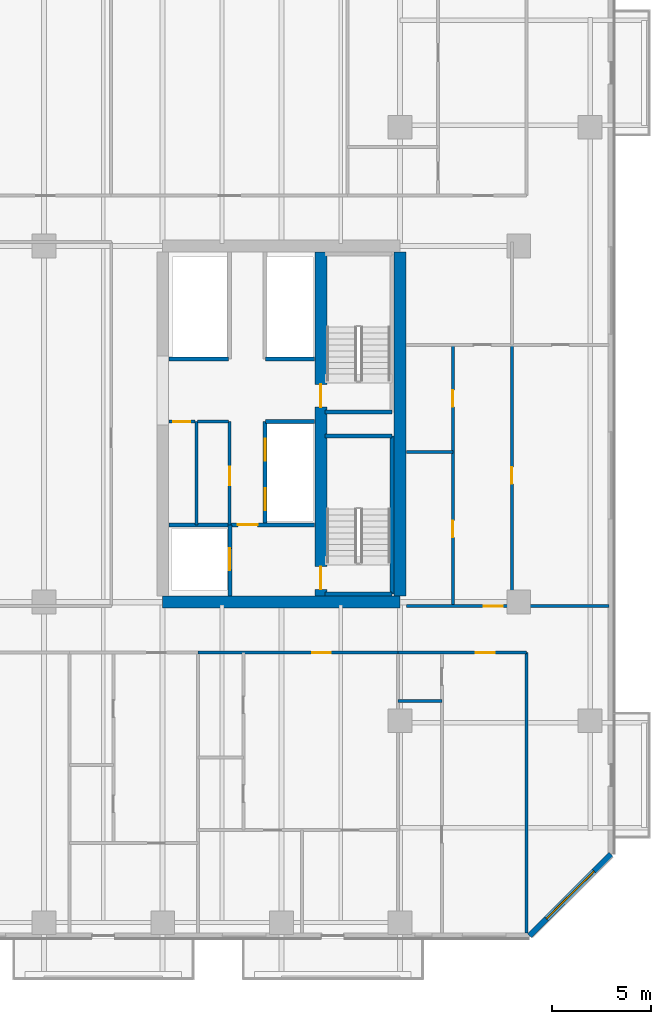
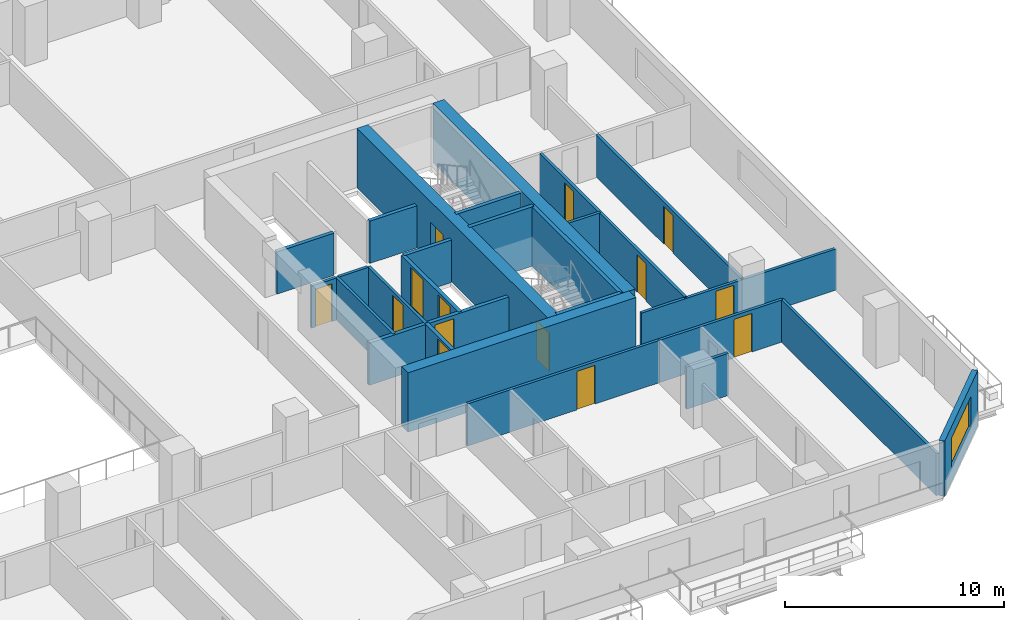
# One storey, part 15 of 26: 26 walls, 14 doors, 1 window, 15 openings.
"""IFC4 building model written with IfcOpenShell, lengths in metres."""

import ifcopenshell
import ifcopenshell.guid

model = None  # the IFC model being written
_history = None  # IfcOwnerHistory: only IFC2X3 demands one
_inside = {}  # id of a spatial element -> (the spatial element, [elements in it])
_under = {}  # id of a project, library or spatial element -> (it, [spatial elements below it])
_declared = {}  # id of a project -> (the project, [libraries it declares])
_typed = {}  # id of a type object -> (the type object, [elements of that type])
_made_of = {}  # id of a material, layer set ... -> (it, [elements and type objects made of it])


def new_model(schema):
    """Start an empty IFC model of exactly this schema.

    Asked for "IFC4X3", IfcOpenShell would pick the latest addendum, in which some entities
    have other attributes; the version numbers below select the first issue.
    IFC2X3 requires an IfcOwnerHistory on every rooted entity: one is made here for all.
    """
    global model, _history
    if schema == "IFC4X3":
        model = ifcopenshell.file(schema_version=(4, 3, 0, 0))
    else:
        model = ifcopenshell.file(schema=schema)
    _inside.clear()
    _under.clear()
    _declared.clear()
    _typed.clear()
    _made_of.clear()
    _history = None
    if model.schema == "IFC2X3":
        org = make("IfcOrganization", Name="unknown")
        user = make(
            "IfcPersonAndOrganization",
            ThePerson=make("IfcPerson", FamilyName="unknown"),
            TheOrganization=org,
        )
        app = make(
            "IfcApplication",
            ApplicationDeveloper=org,
            Version="unknown",
            ApplicationFullName="unknown",
            ApplicationIdentifier="unknown",
        )
        _history = make(
            "IfcOwnerHistory",
            OwningUser=user,
            OwningApplication=app,
            ChangeAction="ADDED",
            CreationDate=0,
        )
    return model


def make(cls, **values):
    """One entity of the class cls with the attributes given. An attribute that is None is left unset."""
    return model.create_entity(
        cls, **{name: value for name, value in values.items() if value is not None}
    )


def rooted(cls, **values):
    """An entity with a GlobalId (a new one), such as an element, a storey or a relation."""
    return make(cls, GlobalId=ifcopenshell.guid.new(), OwnerHistory=_history, **values)


def si_unit(unit_type, name, prefix=None):
    """IfcSIUnit, for example si_unit("LENGTHUNIT", "METRE", prefix="MILLI")."""
    return make("IfcSIUnit", UnitType=unit_type, Prefix=prefix, Name=name)


def assignment(units):
    """IfcUnitAssignment: the units of a project."""
    return None if units is None else make("IfcUnitAssignment", Units=units)


def point(xyz):
    """IfcCartesianPoint."""
    return None if xyz is None else make("IfcCartesianPoint", Coordinates=xyz)


def direction(xyz):
    """IfcDirection."""
    return None if xyz is None else make("IfcDirection", DirectionRatios=xyz)


def frame(location, z_axis=None, x_axis=None):
    """IfcAxis2Placement3D, a coordinate frame: its origin and axes. An axis left out is left unset."""
    return make(
        "IfcAxis2Placement3D",
        Location=point(location),
        Axis=direction(z_axis),
        RefDirection=direction(x_axis),
    )


def frame_2d(location, x_axis=None):
    """IfcAxis2Placement2D, a coordinate frame in the plane: its origin and x axis."""
    return make(
        "IfcAxis2Placement2D", Location=point(location), RefDirection=direction(x_axis)
    )


def origin():
    """The frame at (0, 0, 0) with its axes left unset."""
    return frame((0.0, 0.0, 0.0))


def place(relative_to, where):
    """IfcLocalPlacement: puts the frame where relative to a parent placement (None: the world)."""
    return make(
        "IfcLocalPlacement", PlacementRelTo=relative_to, RelativePlacement=where
    )


def context(
    kind, dimensions, precision=None, world=None, true_north=None, identifier=None
):
    """IfcGeometricRepresentationContext, for example the 3D "Model" context."""
    return make(
        "IfcGeometricRepresentationContext",
        ContextIdentifier=identifier,
        ContextType=kind,
        CoordinateSpaceDimension=dimensions,
        Precision=precision,
        WorldCoordinateSystem=world,
        TrueNorth=true_north,
    )


def subcontext(parent, identifier, kind, view, scale=None):
    """IfcGeometricRepresentationSubContext, for example "Body" below "Model"."""
    return make(
        "IfcGeometricRepresentationSubContext",
        ContextIdentifier=identifier,
        ContextType=kind,
        ParentContext=parent,
        TargetScale=scale,
        TargetView=view,
    )


def project(units=None, contexts=None):
    """IfcProject with its units and contexts."""
    return rooted(
        "IfcProject",
        Name="project",
        RepresentationContexts=contexts,
        UnitsInContext=assignment(units),
    )


def spatial(cls, under=None, at=None, **own):
    """A site, building, storey or space (cls), placed at a placement, below another one or the project."""
    s = rooted(cls, ObjectPlacement=at, **own)
    if under is not None:
        _under.setdefault(under.id(), (under, []))[1].append(s)
    return s


def profile(cls, at=None, kind="AREA", **sizes):
    """A parametric profile (cls). Its sizes go by their IFC names, for example OverallWidth=200.0."""
    return make(cls, ProfileType=kind, Position=at, **sizes)


def rectangle(**sizes):
    """IfcRectangleProfileDef."""
    return profile("IfcRectangleProfileDef", **sizes)


def extrude(swept, where, along, depth):
    """IfcExtrudedAreaSolid: the profile swept, set in the frame where, extruded along a direction by depth."""
    return make(
        "IfcExtrudedAreaSolid",
        SweptArea=swept,
        Position=where,
        ExtrudedDirection=direction(along),
        Depth=depth,
    )


def shape(context_of_items, identifier, shape_type, items):
    """IfcShapeRepresentation: the items that make up one representation, for example the "Body"."""
    return make(
        "IfcShapeRepresentation",
        ContextOfItems=context_of_items,
        RepresentationIdentifier=identifier,
        RepresentationType=shape_type,
        Items=items,
    )


def material(Name=None, Category=None):
    """IfcMaterial."""
    return make("IfcMaterial", Name=Name, Category=Category)


def layer(
    of_material, thickness, ventilated=None, Name=None, Category=None, Priority=None
):
    """IfcMaterialLayer: one layer of a wall or slab, of a material (None: an air gap)."""
    return make(
        "IfcMaterialLayer",
        Material=of_material,
        LayerThickness=thickness,
        IsVentilated=ventilated,
        Name=Name,
        Category=Category,
        Priority=Priority,
    )


def layer_set(layers, Name=None):
    """IfcMaterialLayerSet."""
    return make("IfcMaterialLayerSet", MaterialLayers=layers, LayerSetName=Name)


def made_of(thing, what):
    """Note that an element or type object is made of a material, layer set ...; save() writes the relation."""
    if what is not None:
        _made_of.setdefault(what.id(), (what, []))[1].append(thing)
    return thing


def type_object(cls, material=None, **own):
    """A type object (cls), such as IfcWallType, which elements share."""
    return made_of(rooted(cls, **own), material)


def element(
    cls,
    number,
    at=None,
    inside=None,
    cuts=None,
    type_object=None,
    material=None,
    context=None,
    identifier="Body",
    shape_type=None,
    held_by="IfcProductDefinitionShape",
    body=None,
    shapes=None,
    **own,
):
    """One element of the class cls, such as IfcWall. Its Tag is "e" and its number.

    at: its placement. inside: the storey or other place that contains it. cuts: it is an
    opening in that element (IfcRelVoidsElement). A single representation is given by context,
    identifier, shape_type and body (its items); several are given by shapes. held_by: the class
    of the entity that holds the representations. save() writes the other relations.
    """
    e = rooted(cls, Tag="e%d" % number, ObjectPlacement=at, **own)
    if body is not None:
        shapes = [shape(context, identifier, shape_type, body)]
    if shapes is not None:
        e.Representation = make(held_by, Representations=shapes)
    if inside is not None:
        _inside.setdefault(inside.id(), (inside, []))[1].append(e)
    if cuts is not None:
        rooted(
            "IfcRelVoidsElement", RelatingBuildingElement=cuts, RelatedOpeningElement=e
        )
    if type_object is not None:
        _typed.setdefault(type_object.id(), (type_object, []))[1].append(e)
    return made_of(e, material)


def fill(opening, filler):
    """IfcRelFillsElement: the door or window that sits in an opening."""
    return rooted(
        "IfcRelFillsElement",
        RelatingOpeningElement=opening,
        RelatedBuildingElement=filler,
    )


def aggregate(whole, parts):
    """IfcRelAggregates: a whole, such as a stair, and the parts it consists of."""
    return rooted("IfcRelAggregates", RelatingObject=whole, RelatedObjects=parts)


def save(model, path):
    """Write the relations noted so far, then the file.

    IfcRelAggregates (storeys below a building ...), IfcRelContainedInSpatialStructure (elements
    in a storey), IfcRelDefinesByType, IfcRelAssociatesMaterial and IfcRelDeclares: one each for
    every whole, place, type object, material and project.
    """
    for whole, parts in _under.values():
        aggregate(whole, parts)
    for where, things in _inside.values():
        rooted(
            "IfcRelContainedInSpatialStructure",
            RelatedElements=things,
            RelatingStructure=where,
        )
    for kind, things in _typed.values():
        rooted("IfcRelDefinesByType", RelatedObjects=things, RelatingType=kind)
    for what, things in _made_of.values():
        rooted("IfcRelAssociatesMaterial", RelatedObjects=things, RelatingMaterial=what)
    for by, libraries in _declared.values():
        rooted("IfcRelDeclares", RelatingContext=by, RelatedDefinitions=libraries)
    model.write(path)


model = new_model("IFC4")

# Units and contexts
model_context = context("Model", 3, precision=1e-05, world=origin(), true_north=direction((0.0, 1.0)))
body_context = subcontext(model_context, "Body", "Model", "MODEL_VIEW")
ifc_project = project(units=[si_unit("LENGTHUNIT", "METRE"), si_unit("AREAUNIT", "SQUARE_METRE"), si_unit("VOLUMEUNIT", "CUBIC_METRE"), si_unit("PLANEANGLEUNIT", "RADIAN"), si_unit("MASSUNIT", "GRAM", prefix="KILO")], contexts=[model_context])

# Site, building, storey
site_placement = place(None, origin())
site = spatial("IfcSite", under=ifc_project, at=site_placement, CompositionType="ELEMENT")
building_placement = place(site_placement, origin())
building = spatial("IfcBuilding", under=site, at=building_placement, Name="Tanjung Sevakor Pilgrim Tower", CompositionType="ELEMENT")
storey_placement = place(building_placement, frame((0.0, 0.0, 45.5400390625)))
storey = spatial("IfcBuildingStorey", under=building, at=storey_placement, Name="L12", CompositionType="ELEMENT", Elevation=45.5400390625)

# Walls
ifc_material_1 = material(Name="Concrete C60/75", Category="concrete")
ifc_layer_1 = layer(ifc_material_1, 0.60009765625)
ifc_layer_set_1 = layer_set([ifc_layer_1], Name="WALL-CW-600")
wall_type_1 = type_object("IfcWallType", Name="WALL-CW-600", PredefinedType="SHEAR", material=ifc_layer_set_1)
wall_1_placement = place(storey_placement, frame((78.0, 24.60009765625, 0.0), z_axis=(0.0, 0.0, 1.0), x_axis=(1.0, 0.0, 0.0)))
element("IfcWall", 1, at=wall_1_placement, inside=storey, type_object=wall_type_1, Name="L12 E Core South Shear Wall", PredefinedType="SHEAR", context=body_context, shape_type="SweptSolid", body=[
    extrude(rectangle(XDim=12.0, YDim=0.60009765625, at=frame_2d((6.0, 0.0))), origin(), (0.0, 0.0, 1.0), 3.300048828125),
])
wall_2_placement = place(storey_placement, frame((90.0, 24.89990234375, 0.0), z_axis=(0.0, 0.0, 1.0), x_axis=(0.0, 1.0, 0.0)))
element("IfcWall", 2, at=wall_2_placement, inside=storey, type_object=wall_type_1, Name="L12 E Core Outer Shear Wall", PredefinedType="SHEAR", context=body_context, shape_type="SweptSolid", body=[
    extrude(rectangle(XDim=17.400146484375, YDim=0.60009765625, at=frame_2d((8.7001953125, 0.0))), origin(), (0.0, 0.0, 1.0), 3.300048828125),
])

# Wall, openings, doors
wall_3_placement = place(storey_placement, frame((86.0, 24.89990234375, 0.0), z_axis=(0.0, 0.0, 1.0), x_axis=(0.0, 1.0, 0.0)))
wall_3 = element("IfcWall", 3, at=wall_3_placement, inside=storey, type_object=wall_type_1, Name="L12 E Core Stair Spine Wall", PredefinedType="SHEAR", context=body_context, shape_type="SweptSolid", body=[
    extrude(rectangle(XDim=17.400146484375, YDim=0.60009765625, at=frame_2d((8.7001953125, 0.0))), origin(), (0.0, 0.0, 1.0), 3.300048828125),
])
opening_1_placement = place(wall_3_placement, frame((0.35009765625, 0.0, 0.0)))
opening_1 = element("IfcOpeningElement", 4, at=opening_1_placement, cuts=wall_3, Name="Opening ID-ST1", PredefinedType="OPENING", context=body_context, shape_type="SweptSolid", body=[
    extrude(rectangle(XDim=1.14990234375, YDim=2.14990234375, at=frame_2d((0.574951171875, 1.074951171875))), frame((0.0, 0.31005859375, 0.0), z_axis=(0.0, -1.0, 0.0), x_axis=(1.0, 0.0, 0.0)), (0.0, 0.0, 1.0), 0.6201171875),
])
opening_2_placement = place(wall_3_placement, frame((9.550048828125, 0.0, 0.0)))
opening_2 = element("IfcOpeningElement", 5, at=opening_2_placement, cuts=wall_3, Name="Opening ID-ST1", PredefinedType="OPENING", context=body_context, shape_type="SweptSolid", body=[
    extrude(rectangle(XDim=1.14990234375, YDim=2.14990234375, at=frame_2d((0.574951171875, 1.074951171875))), frame((0.0, 0.31005859375, 0.0), z_axis=(0.0, -1.0, 0.0), x_axis=(1.0, 0.0, 0.0)), (0.0, 0.0, 1.0), 0.6201171875),
])
ifc_material_2 = material(Name="Fire-Rated Steel S355J2", Category="steel")
door_type_1 = type_object("IfcDoorType", Name="DT-FIRE-1150", OperationType="NOTDEFINED", PredefinedType="DOOR", material=ifc_material_2)
door_1_placement = place(opening_1_placement, origin())
door_1 = element("IfcDoor", 6, at=door_1_placement, inside=storey, type_object=door_type_1, Name="L12 TS-E1 Stair Fire Door", OperationType="SINGLE_SWING_LEFT", OverallHeight=2.14990234375, OverallWidth=1.14990234375, PredefinedType="DOOR", context=body_context, shape_type="SweptSolid", body=[
    extrude(rectangle(XDim=1.14990234375, YDim=2.14990234375, at=frame_2d((0.574951171875, 1.074951171875))), frame((0.0, 0.02490234375, 0.0), z_axis=(0.0, -1.0, 0.0), x_axis=(1.0, 0.0, 0.0)), (0.0, 0.0, 1.0), 0.050048828125),
])
fill(opening_1, door_1)
door_2_placement = place(opening_2_placement, origin())
door_2 = element("IfcDoor", 7, at=door_2_placement, inside=storey, type_object=door_type_1, Name="L12 TS-E2 Stair Fire Door", OperationType="SINGLE_SWING_RIGHT", OverallHeight=2.14990234375, OverallWidth=1.14990234375, PredefinedType="DOOR", context=body_context, shape_type="SweptSolid", body=[
    extrude(rectangle(XDim=1.14990234375, YDim=2.14990234375, at=frame_2d((0.574951171875, 1.074951171875))), frame((0.0, 0.02490234375, 0.0), z_axis=(0.0, -1.0, 0.0), x_axis=(1.0, 0.0, 0.0)), (0.0, 0.0, 1.0), 0.050048828125),
])
fill(opening_2, door_2)

# Walls
ifc_material_3 = material(Name="Concrete C40/50", Category="concrete")
ifc_layer_2 = layer(ifc_material_3, 0.14990234375)
ifc_layer_set_2 = layer_set([ifc_layer_2], Name="WT-COMP-150")
wall_type_2 = type_object("IfcWallType", Name="WT-COMP-150", PredefinedType="SOLIDWALL", material=ifc_layer_set_2)
wall_4_placement = place(storey_placement, frame((79.699951171875, 28.5, 0.0), z_axis=(0.0, 0.0, 1.0), x_axis=(0.0, 1.0, 0.0)))
element("IfcWall", 8, at=wall_4_placement, inside=storey, type_object=wall_type_2, Name="L12 Partition IW-L12-017", PredefinedType="SOLIDWALL", context=body_context, shape_type="SweptSolid", body=[
    extrude(rectangle(XDim=5.219970703125, YDim=0.14990234375, at=frame_2d((2.60986328125, 0.0))), origin(), (0.0, 0.0, 1.0), 2.35009765625),
])
wall_5_placement = place(storey_placement, frame((79.760009765625, 33.719970703125, 0.0), z_axis=(0.0, 0.0, 1.0), x_axis=(1.0, 0.0, 0.0)))
element("IfcWall", 9, at=wall_5_placement, inside=storey, type_object=wall_type_2, Name="L12 Partition IW-L12-018", PredefinedType="SOLIDWALL", context=body_context, shape_type="SweptSolid", body=[
    extrude(rectangle(XDim=1.56005859375, YDim=0.14990234375, at=frame_2d((0.780029296875, 0.0))), origin(), (0.0, 0.0, 1.0), 2.35009765625),
])

# Wall, opening, door
wall_6_placement = place(storey_placement, frame((78.320068359375, 33.719970703125, 0.0), z_axis=(0.0, 0.0, 1.0), x_axis=(1.0, 0.0, 0.0)))
wall_6 = element("IfcWall", 10, at=wall_6_placement, inside=storey, type_object=wall_type_2, Name="L12 Partition IW-L12-019", PredefinedType="SOLIDWALL", context=body_context, shape_type="SweptSolid", body=[
    extrude(rectangle(XDim=1.31982421875, YDim=0.14990234375, at=frame_2d((0.659912109375, 0.0))), origin(), (0.0, 0.0, 1.0), 2.35009765625),
])
opening_3_placement = place(wall_6_placement, frame((0.219970703125, 0.0, 0.0)))
opening_3 = element("IfcOpeningElement", 11, at=opening_3_placement, cuts=wall_6, Name="Opening ID-FD3", PredefinedType="OPENING", context=body_context, shape_type="SweptSolid", body=[
    extrude(rectangle(XDim=0.85009765625, YDim=2.10009765625, at=frame_2d((0.425048828125, 1.050048828125))), frame((0.0, 0.0849609375, 0.0), z_axis=(0.0, -1.0, 0.0), x_axis=(1.0, 0.0, 0.0)), (0.0, 0.0, 1.0), 0.169921875),
])
ifc_material_4 = material(Name="Fire-Rated Timber", Category="wood")
door_type_2 = type_object("IfcDoorType", Name="DT-FIRE-850", OperationType="NOTDEFINED", PredefinedType="DOOR", material=ifc_material_4)
door_3_placement = place(opening_3_placement, origin())
door_3 = element("IfcDoor", 12, at=door_3_placement, inside=storey, type_object=door_type_2, Name="L12 Service Store Door", OperationType="SINGLE_SWING_RIGHT", OverallHeight=2.10009765625, OverallWidth=0.85009765625, PredefinedType="DOOR", context=body_context, shape_type="SweptSolid", body=[
    extrude(rectangle(XDim=0.85009765625, YDim=2.10009765625, at=frame_2d((0.425048828125, 1.050048828125))), frame((0.0, 0.02490234375, 0.0), z_axis=(0.0, -1.0, 0.0), x_axis=(1.0, 0.0, 0.0)), (0.0, 0.0, 1.0), 0.050048828125),
])
fill(opening_3, door_3)

wall_7_placement = place(storey_placement, frame((81.3798828125, 28.5, 0.0), z_axis=(0.0, 0.0, 1.0), x_axis=(0.0, 1.0, 0.0)))
wall_7 = element("IfcWall", 13, at=wall_7_placement, inside=storey, type_object=wall_type_2, Name="L12 Partition IW-L12-020", PredefinedType="SOLIDWALL", context=body_context, shape_type="SweptSolid", body=[
    extrude(rectangle(XDim=5.219970703125, YDim=0.14990234375, at=frame_2d((2.60986328125, 0.0))), origin(), (0.0, 0.0, 1.0), 2.35009765625),
])
opening_4_placement = place(wall_7_placement, frame((2.0, 0.0, 0.0)))
opening_4 = element("IfcOpeningElement", 14, at=opening_4_placement, cuts=wall_7, Name="Opening ID-FD2", PredefinedType="OPENING", context=body_context, shape_type="SweptSolid", body=[
    extrude(rectangle(XDim=0.949951171875, YDim=2.14990234375, at=frame_2d((0.47509765625, 1.074951171875))), frame((0.0, 0.0849609375, 0.0), z_axis=(0.0, -1.0, 0.0), x_axis=(1.0, 0.0, 0.0)), (0.0, 0.0, 1.0), 0.169921875),
])
ifc_material_5 = material(Name="Fire-Rated Timber", Category="wood")
door_type_3 = type_object("IfcDoorType", Name="DT-FIRE-950", OperationType="NOTDEFINED", PredefinedType="DOOR", material=ifc_material_5)
door_4_placement = place(opening_4_placement, origin())
door_4 = element("IfcDoor", 15, at=door_4_placement, inside=storey, type_object=door_type_3, Name="L12 Accessible WC Door", OperationType="SINGLE_SWING_LEFT", OverallHeight=2.14990234375, OverallWidth=0.949951171875, PredefinedType="DOOR", context=body_context, shape_type="SweptSolid", body=[
    extrude(rectangle(XDim=0.949951171875, YDim=2.14990234375, at=frame_2d((0.47509765625, 1.074951171875))), frame((0.0, 0.02490234375, 0.0), z_axis=(0.0, -1.0, 0.0), x_axis=(1.0, 0.0, 0.0)), (0.0, 0.0, 1.0), 0.050048828125),
])
fill(opening_4, door_4)

wall_8_placement = place(storey_placement, frame((90.320068359375, 24.39990234375, 0.0), z_axis=(0.0, 0.0, 1.0), x_axis=(1.0, 0.0, 0.0)))
wall_8 = element("IfcWall", 16, at=wall_8_placement, inside=storey, type_object=wall_type_2, Name="L12 Partition IW-L12-039", PredefinedType="SOLIDWALL", context=body_context, shape_type="SweptSolid", body=[
    extrude(rectangle(XDim=10.239990234375, YDim=0.14990234375, at=frame_2d((5.1201171875, 0.0))), origin(), (0.0, 0.0, 1.0), 2.295166015625),
])
opening_5_placement = place(wall_8_placement, frame((3.91259765625, 0.0, 0.0)))
opening_5 = element("IfcOpeningElement", 17, at=opening_5_placement, cuts=wall_8, Name="Opening ID-FD2", PredefinedType="OPENING", context=body_context, shape_type="SweptSolid", body=[
    extrude(rectangle(XDim=0.949951171875, YDim=2.14990234375, at=frame_2d((0.47509765625, 1.074951171875))), frame((0.0, 0.0849609375, 0.0), z_axis=(0.0, -1.0, 0.0), x_axis=(1.0, 0.0, 0.0)), (0.0, 0.0, 1.0), 0.169921875),
])
door_5_placement = place(opening_5_placement, origin())
door_5 = element("IfcDoor", 18, at=door_5_placement, inside=storey, type_object=door_type_3, Name="Suite Entrance", OperationType="SINGLE_SWING_RIGHT", OverallHeight=2.14990234375, OverallWidth=0.949951171875, PredefinedType="DOOR", context=body_context, shape_type="SweptSolid", body=[
    extrude(rectangle(XDim=0.949951171875, YDim=2.14990234375, at=frame_2d((0.47509765625, 1.074951171875))), frame((0.0, 0.02490234375, 0.0), z_axis=(0.0, -1.0, 0.0), x_axis=(1.0, 0.0, 0.0)), (0.0, 0.0, 1.0), 0.050048828125),
])
fill(opening_5, door_5)

# Wall
wall_9_placement = place(storey_placement, frame((96.39990234375, 7.8798828125, 0.0), z_axis=(0.0, 0.0, 1.0), x_axis=(0.0, 1.0, 0.0)))
element("IfcWall", 19, at=wall_9_placement, inside=storey, type_object=wall_type_2, Name="L12 Partition IW-L12-058", PredefinedType="SOLIDWALL", context=body_context, shape_type="SweptSolid", body=[
    extrude(rectangle(XDim=14.170166015625, YDim=0.14990234375, at=frame_2d((7.0849609375, 0.0))), origin(), (0.0, 0.0, 1.0), 2.35009765625),
])

# Wall, opening, door
wall_10_placement = place(storey_placement, frame((79.795166015625, 22.050048828125, 0.0), z_axis=(0.0, 0.0, 1.0), x_axis=(1.0, 0.0, 0.0)))
wall_10 = element("IfcWall", 20, at=wall_10_placement, inside=storey, type_object=wall_type_2, Name="L12 Partition IW-L12-077", PredefinedType="SOLIDWALL", context=body_context, shape_type="SweptSolid", body=[
    extrude(rectangle(XDim=10.107421875, YDim=0.14990234375, at=frame_2d((5.0537109375, 0.0))), origin(), (0.0, 0.0, 1.0), 2.35009765625),
])
opening_6_placement = place(wall_10_placement, frame((5.760986328125, 0.0, 0.0)))
opening_6 = element("IfcOpeningElement", 21, at=opening_6_placement, cuts=wall_10, Name="Opening ID-FD2", PredefinedType="OPENING", context=body_context, shape_type="SweptSolid", body=[
    extrude(rectangle(XDim=0.949951171875, YDim=2.14990234375, at=frame_2d((0.47509765625, 1.074951171875))), frame((0.0, 0.0849609375, 0.0), z_axis=(0.0, -1.0, 0.0), x_axis=(1.0, 0.0, 0.0)), (0.0, 0.0, 1.0), 0.169921875),
])
door_6_placement = place(opening_6_placement, origin())
door_6 = element("IfcDoor", 22, at=door_6_placement, inside=storey, type_object=door_type_3, Name="Suite Entrance", OperationType="SINGLE_SWING_LEFT", OverallHeight=2.14990234375, OverallWidth=0.949951171875, PredefinedType="DOOR", context=body_context, shape_type="SweptSolid", body=[
    extrude(rectangle(XDim=0.949951171875, YDim=2.14990234375, at=frame_2d((0.47509765625, 1.074951171875))), frame((0.0, 0.02490234375, 0.0), z_axis=(0.0, -1.0, 0.0), x_axis=(1.0, 0.0, 0.0)), (0.0, 0.0, 1.0), 0.050048828125),
])
fill(opening_6, door_6)

wall_11_placement = place(storey_placement, frame((89.902587890625, 22.050048828125, 0.0), z_axis=(0.0, 0.0, 1.0), x_axis=(1.0, 0.0, 0.0)))
wall_11 = element("IfcWall", 23, at=wall_11_placement, inside=storey, type_object=wall_type_2, Name="L12 Partition IW-L12-080", PredefinedType="SOLIDWALL", context=body_context, shape_type="SweptSolid", body=[
    extrude(rectangle(XDim=6.497314453125, YDim=0.14990234375, at=frame_2d((3.24853515625, 0.0))), origin(), (0.0, 0.0, 1.0), 2.35009765625),
])
opening_7_placement = place(wall_11_placement, frame((3.918212890625, 0.0, 0.0)))
opening_7 = element("IfcOpeningElement", 24, at=opening_7_placement, cuts=wall_11, Name="Opening ID-FD2", PredefinedType="OPENING", context=body_context, shape_type="SweptSolid", body=[
    extrude(rectangle(XDim=0.949951171875, YDim=2.14990234375, at=frame_2d((0.47509765625, 1.074951171875))), frame((0.0, 0.0849609375, 0.0), z_axis=(0.0, -1.0, 0.0), x_axis=(1.0, 0.0, 0.0)), (0.0, 0.0, 1.0), 0.169921875),
])
door_7_placement = place(opening_7_placement, origin())
door_7 = element("IfcDoor", 25, at=door_7_placement, inside=storey, type_object=door_type_3, Name="Hostel Quad Entrance", OperationType="SINGLE_SWING_RIGHT", OverallHeight=2.14990234375, OverallWidth=0.949951171875, PredefinedType="DOOR", context=body_context, shape_type="SweptSolid", body=[
    extrude(rectangle(XDim=0.949951171875, YDim=2.14990234375, at=frame_2d((0.47509765625, 1.074951171875))), frame((0.0, 0.02490234375, 0.0), z_axis=(0.0, -1.0, 0.0), x_axis=(1.0, 0.0, 0.0)), (0.0, 0.0, 1.0), 0.050048828125),
])
fill(opening_7, door_7)

# Wall, opening, window
ifc_material_6 = material(Name="Precast concrete C45/55", Category="concrete")
ifc_layer_3 = layer(ifc_material_6, 0.280029296875)
ifc_layer_set_3 = layer_set([ifc_layer_3], Name="WT-EW-STN2")
wall_type_3 = type_object("IfcWallType", Name="WT-EW-STN2", PredefinedType="SOLIDWALL", material=ifc_layer_set_3)
wall_12_placement = place(storey_placement, frame((96.5419921875, 7.739990234375, 0.0), z_axis=(0.0, 0.0, 1.0), x_axis=(0.707106781187, 0.707106781187, 0.0)))
wall_12 = element("IfcWall", 26, at=wall_12_placement, inside=storey, type_object=wall_type_3, Name="L12 MAIN Sculpted Corner Wall 5", PredefinedType="SOLIDWALL", context=body_context, shape_type="SweptSolid", body=[
    extrude(rectangle(XDim=5.82373046875, YDim=0.280029296875, at=frame_2d((2.911865234375, 0.0))), origin(), (0.0, 0.0, 1.0), 3.080078125),
])
opening_8_placement = place(wall_12_placement, frame((1.2119140625, 0.0, 0.780029296875)))
opening_8 = element("IfcOpeningElement", 27, at=opening_8_placement, cuts=wall_12, Name="Opening WN-CHM-1660", PredefinedType="OPENING", context=body_context, shape_type="SweptSolid", body=[
    extrude(rectangle(XDim=3.39990234375, YDim=1.659912109375, at=frame_2d((1.699951171875, 0.830078125))), frame((0.0, 0.14990234375, 0.0), z_axis=(0.0, -1.0, 0.0), x_axis=(1.0, 0.0, 0.0)), (0.0, 0.0, 1.0), 0.300048828125),
])
ifc_material_7 = material(Name="Thermally Broken Aluminium and Low-E Glass", Category="aluminium")
window_type = type_object("IfcWindowType", Name="WTYP-WN-CHM-1660", PartitioningType="DOUBLE_PANEL_VERTICAL", PredefinedType="WINDOW", material=ifc_material_7)
window_placement = place(opening_8_placement, origin())
window = element("IfcWindow", 28, at=window_placement, inside=storey, type_object=window_type, Name="L12 Facade Window 01", OverallHeight=1.659912109375, OverallWidth=3.39990234375, PartitioningType="SINGLE_PANEL", PredefinedType="WINDOW", context=body_context, shape_type="SweptSolid", body=[
    extrude(rectangle(XDim=3.39990234375, YDim=1.659912109375, at=frame_2d((1.699951171875, 0.830078125))), frame((0.0, 0.030029296875, 0.0), z_axis=(0.0, -1.0, 0.0), x_axis=(1.0, 0.0, 0.0)), (0.0, 0.0, 1.0), 0.06005859375),
])
fill(opening_8, window)

# Walls
ifc_material_8 = material(Name="Concrete C40/50", Category="concrete")
ifc_layer_4 = layer(ifc_material_8, 0.199951171875)
ifc_layer_set_4 = layer_set([ifc_layer_4], Name="WT-FIRE-200")
wall_type_4 = type_object("IfcWallType", Name="WT-FIRE-200", PredefinedType="SOLIDWALL", material=ifc_layer_set_4)
wall_13_placement = place(storey_placement, frame((86.199951171875, 25.0, 0.0), z_axis=(0.0, 0.0, 1.0), x_axis=(1.0, 0.0, 0.0)))
element("IfcWall", 29, at=wall_13_placement, inside=storey, type_object=wall_type_4, Name="L12 TS-E1 Shaft Wall 1", PredefinedType="SOLIDWALL", context=body_context, shape_type="SweptSolid", body=[
    extrude(rectangle(XDim=3.400146484375, YDim=0.199951171875, at=frame_2d((1.7001953125, 0.0))), origin(), (0.0, 0.0, 1.0), 3.300048828125),
])
wall_14_placement = place(storey_placement, frame((89.60009765625, 25.0, 0.0), z_axis=(0.0, 0.0, 1.0), x_axis=(0.0, 1.0, 0.0)))
element("IfcWall", 30, at=wall_14_placement, inside=storey, type_object=wall_type_4, Name="L12 TS-E1 Shaft Wall 2", PredefinedType="SOLIDWALL", context=body_context, shape_type="SweptSolid", body=[
    extrude(rectangle(XDim=8.0, YDim=0.199951171875, at=frame_2d((4.0, 0.0))), origin(), (0.0, 0.0, 1.0), 3.300048828125),
])
for number, where, z_axis, x_axis, name in (
    (31, (89.60009765625, 33.0, 0.0), (0.0, 0.0, 1.0), (-1.0, 0.0, 0.0), "L12 TS-E1 Shaft Wall 3"),
    (32, (86.199951171875, 34.199951171875, 0.0), (0.0, 0.0, 1.0), (1.0, 0.0, 0.0), "L12 TS-E2 Shaft Wall 1"),
):
    element("IfcWall", number, at=place(storey_placement, frame(where, z_axis=z_axis, x_axis=x_axis)), inside=storey, type_object=wall_type_4, Name=name, PredefinedType="SOLIDWALL", context=body_context, shape_type="SweptSolid", body=[
        extrude(rectangle(XDim=3.400146484375, YDim=0.199951171875, at=frame_2d((1.7001953125, 0.0))), origin(), (0.0, 0.0, 1.0), 3.300048828125),
    ])

# Wall, opening, door
ifc_material_9 = material(Name="Concrete C40/50", Category="concrete")
ifc_layer_5 = layer(ifc_material_9, 0.199951171875)
ifc_layer_set_5 = layer_set([ifc_layer_5], Name="WT-FPRT-200")
wall_type_5 = type_object("IfcWallType", Name="WT-FPRT-200", PredefinedType="SOLIDWALL", material=ifc_layer_set_5)
wall_15_placement = place(storey_placement, frame((81.39990234375, 24.919921875, 0.0), z_axis=(0.0, 0.0, 1.0), x_axis=(0.0, 1.0, 0.0)))
wall_15 = element("IfcWall", 33, at=wall_15_placement, inside=storey, type_object=wall_type_5, Name="L12 Partition IW-L12-013", PredefinedType="SOLIDWALL", context=body_context, shape_type="SweptSolid", body=[
    extrude(rectangle(XDim=3.580078125, YDim=0.199951171875, at=frame_2d((1.7900390625, 0.0))), origin(), (0.0, 0.0, 1.0), 2.35009765625),
])
opening_9_placement = place(wall_15_placement, frame((1.300048828125, 0.0, 0.0)))
opening_9 = element("IfcOpeningElement", 34, at=opening_9_placement, cuts=wall_15, Name="Opening LD-1100", PredefinedType="OPENING", context=body_context, shape_type="SweptSolid", body=[
    extrude(rectangle(XDim=1.10009765625, YDim=2.199951171875, at=frame_2d((0.550048828125, 1.10009765625))), frame((0.0, 0.10986328125, 0.0), z_axis=(0.0, -1.0, 0.0), x_axis=(1.0, 0.0, 0.0)), (0.0, 0.0, 1.0), 0.219970703125),
])
ifc_material_10 = material(Name="Brushed Stainless Steel S355J2", Category="steel")
door_type_4 = type_object("IfcDoorType", Name="DT-LIFT-1100", OperationType="SLIDING_TO_LEFT", PredefinedType="DOOR", material=ifc_material_10)
door_8_placement = place(opening_9_placement, origin())
door_8 = element("IfcDoor", 35, at=door_8_placement, inside=storey, type_object=door_type_4, Name="LD-FL-E", OperationType="SLIDING_TO_LEFT", OverallHeight=2.199951171875, OverallWidth=1.10009765625, PredefinedType="DOOR", context=body_context, shape_type="SweptSolid", body=[
    extrude(rectangle(XDim=1.10009765625, YDim=2.199951171875, at=frame_2d((0.550048828125, 1.10009765625))), frame((0.0, 0.02490234375, 0.0), z_axis=(0.0, -1.0, 0.0), x_axis=(1.0, 0.0, 0.0)), (0.0, 0.0, 1.0), 0.050048828125),
])
fill(opening_9, door_8)

wall_16_placement = place(storey_placement, frame((78.320068359375, 28.5, 0.0), z_axis=(0.0, 0.0, 1.0), x_axis=(1.0, 0.0, 0.0)))
wall_16 = element("IfcWall", 36, at=wall_16_placement, inside=storey, type_object=wall_type_5, Name="L12 Partition IW-L12-014", PredefinedType="SOLIDWALL", context=body_context, shape_type="SweptSolid", body=[
    extrude(rectangle(XDim=7.35986328125, YDim=0.199951171875, at=frame_2d((3.679931640625, 0.0))), origin(), (0.0, 0.0, 1.0), 2.35009765625),
])
opening_10_placement = place(wall_16_placement, frame((3.47998046875, 0.0, 0.0)))
opening_10 = element("IfcOpeningElement", 37, at=opening_10_placement, cuts=wall_16, Name="Opening ID-FD1", PredefinedType="OPENING", context=body_context, shape_type="SweptSolid", body=[
    extrude(rectangle(XDim=1.0, YDim=2.14990234375, at=frame_2d((0.5, 1.074951171875))), frame((0.0, 0.10986328125, 0.0), z_axis=(0.0, -1.0, 0.0), x_axis=(1.0, 0.0, 0.0)), (0.0, 0.0, 1.0), 0.219970703125),
])
ifc_material_11 = material(Name="Fire-Rated Steel S355J2", Category="steel")
door_type_5 = type_object("IfcDoorType", Name="DT-FIRE-1000", OperationType="NOTDEFINED", PredefinedType="DOOR", material=ifc_material_11)
door_9_placement = place(opening_10_placement, origin())
door_9 = element("IfcDoor", 38, at=door_9_placement, inside=storey, type_object=door_type_5, Name="Fire Lobby Door E", OperationType="SINGLE_SWING_LEFT", OverallHeight=2.14990234375, OverallWidth=1.0, PredefinedType="DOOR", context=body_context, shape_type="SweptSolid", body=[
    extrude(rectangle(XDim=1.0, YDim=2.14990234375, at=frame_2d((0.5, 1.074951171875))), frame((0.0, 0.02490234375, 0.0), z_axis=(0.0, -1.0, 0.0), x_axis=(1.0, 0.0, 0.0)), (0.0, 0.0, 1.0), 0.050048828125),
])
fill(opening_10, door_9)

# Wall
wall_17_placement = place(storey_placement, frame((83.199951171875, 33.719970703125, 0.0), z_axis=(0.0, 0.0, 1.0), x_axis=(1.0, 0.0, 0.0)))
element("IfcWall", 39, at=wall_17_placement, inside=storey, type_object=wall_type_5, Name="L12 Partition IW-L12-015", PredefinedType="SOLIDWALL", context=body_context, shape_type="SweptSolid", body=[
    extrude(rectangle(XDim=2.47998046875, YDim=0.199951171875, at=frame_2d((1.239990234375, 0.0))), origin(), (0.0, 0.0, 1.0), 2.35009765625),
])

# Wall, openings, doors
wall_18_placement = place(storey_placement, frame((83.179931640625, 28.5, 0.0), z_axis=(0.0, 0.0, 1.0), x_axis=(0.0, 1.0, 0.0)))
wall_18 = element("IfcWall", 40, at=wall_18_placement, inside=storey, type_object=wall_type_5, Name="L12 Partition IW-L12-016", PredefinedType="SOLIDWALL", context=body_context, shape_type="SweptSolid", body=[
    extrude(rectangle(XDim=5.219970703125, YDim=0.199951171875, at=frame_2d((2.60986328125, 0.0))), origin(), (0.0, 0.0, 1.0), 2.35009765625),
])
opening_11_placement = place(wall_18_placement, frame((0.75, 0.0, 0.0)))
opening_11 = element("IfcOpeningElement", 41, at=opening_11_placement, cuts=wall_18, Name="Opening LD-1100", PredefinedType="OPENING", context=body_context, shape_type="SweptSolid", body=[
    extrude(rectangle(XDim=1.10009765625, YDim=2.199951171875, at=frame_2d((0.550048828125, 1.10009765625))), frame((0.0, 0.10986328125, 0.0), z_axis=(0.0, -1.0, 0.0), x_axis=(1.0, 0.0, 0.0)), (0.0, 0.0, 1.0), 0.219970703125),
])
opening_12_placement = place(wall_18_placement, frame((3.25, 0.0, 0.0)))
opening_12 = element("IfcOpeningElement", 42, at=opening_12_placement, cuts=wall_18, Name="Opening LD-1100", PredefinedType="OPENING", context=body_context, shape_type="SweptSolid", body=[
    extrude(rectangle(XDim=1.10009765625, YDim=2.199951171875, at=frame_2d((0.550048828125, 1.10009765625))), frame((0.0, 0.10986328125, 0.0), z_axis=(0.0, -1.0, 0.0), x_axis=(1.0, 0.0, 0.0)), (0.0, 0.0, 1.0), 0.219970703125),
])
door_10_placement = place(opening_11_placement, origin())
door_10 = element("IfcDoor", 43, at=door_10_placement, inside=storey, type_object=door_type_4, Name="LD-PLL1-E", OperationType="SLIDING_TO_LEFT", OverallHeight=2.199951171875, OverallWidth=1.10009765625, PredefinedType="DOOR", context=body_context, shape_type="SweptSolid", body=[
    extrude(rectangle(XDim=1.10009765625, YDim=2.199951171875, at=frame_2d((0.550048828125, 1.10009765625))), frame((0.0, 0.02490234375, 0.0), z_axis=(0.0, -1.0, 0.0), x_axis=(1.0, 0.0, 0.0)), (0.0, 0.0, 1.0), 0.050048828125),
])
fill(opening_11, door_10)
door_11_placement = place(opening_12_placement, origin())
door_11 = element("IfcDoor", 44, at=door_11_placement, inside=storey, type_object=door_type_4, Name="LD-PLL2-E", OperationType="SLIDING_TO_RIGHT", OverallHeight=2.199951171875, OverallWidth=1.10009765625, PredefinedType="DOOR", context=body_context, shape_type="SweptSolid", body=[
    extrude(rectangle(XDim=1.10009765625, YDim=2.199951171875, at=frame_2d((0.550048828125, 1.10009765625))), frame((0.0, 0.02490234375, 0.0), z_axis=(0.0, -1.0, 0.0), x_axis=(1.0, 0.0, 0.0)), (0.0, 0.0, 1.0), 0.050048828125),
])
fill(opening_12, door_11)

# Walls
wall_19_placement = place(storey_placement, frame((83.199951171875, 36.8798828125, 0.0), z_axis=(0.0, 0.0, 1.0), x_axis=(1.0, 0.0, 0.0)))
element("IfcWall", 45, at=wall_19_placement, inside=storey, type_object=wall_type_5, Name="L12 Partition IW-L12-021", PredefinedType="SOLIDWALL", context=body_context, shape_type="SweptSolid", body=[
    extrude(rectangle(XDim=2.47998046875, YDim=0.199951171875, at=frame_2d((1.239990234375, 0.0))), origin(), (0.0, 0.0, 1.0), 2.35009765625),
])
wall_20_placement = place(storey_placement, frame((78.320068359375, 36.8798828125, 0.0), z_axis=(0.0, 0.0, 1.0), x_axis=(1.0, 0.0, 0.0)))
element("IfcWall", 46, at=wall_20_placement, inside=storey, type_object=wall_type_5, Name="L12 Partition IW-L12-023", PredefinedType="SOLIDWALL", context=body_context, shape_type="SweptSolid", body=[
    extrude(rectangle(XDim=3.0, YDim=0.199951171875, at=frame_2d((1.5, 0.0))), origin(), (0.0, 0.0, 1.0), 2.35009765625),
])

# Wall, opening, door
ifc_material_12 = material(Name="Gypsum Board Partition", Category="gypsum board")
ifc_layer_6 = layer(ifc_material_12, 0.14990234375)
ifc_layer_set_6 = layer_set([ifc_layer_6], Name="WT-PART-150")
wall_type_6 = type_object("IfcWallType", Name="WT-PART-150", PredefinedType="PARTITIONING", material=ifc_layer_set_6)
wall_21_placement = place(storey_placement, frame((95.644775390625, 24.39990234375, 0.0), z_axis=(0.0, 0.0, 1.0), x_axis=(0.0, 1.0, 0.0)))
wall_21 = element("IfcWall", 47, at=wall_21_placement, inside=storey, type_object=wall_type_6, Name="L12 Partition IW-L12-034", PredefinedType="PARTITIONING", context=body_context, shape_type="SweptSolid", body=[
    extrude(rectangle(XDim=13.2001953125, YDim=0.14990234375, at=frame_2d((6.60009765625, 0.0))), origin(), (0.0, 0.0, 1.0), 2.35009765625),
])
opening_13_placement = place(wall_21_placement, frame((6.175048828125, 0.0, 0.0)))
opening_13 = element("IfcOpeningElement", 48, at=opening_13_placement, cuts=wall_21, Name="Opening ID-WC1", PredefinedType="OPENING", context=body_context, shape_type="SweptSolid", body=[
    extrude(rectangle(XDim=0.85009765625, YDim=2.10009765625, at=frame_2d((0.425048828125, 1.050048828125))), frame((0.0, 0.0849609375, 0.0), z_axis=(0.0, -1.0, 0.0), x_axis=(1.0, 0.0, 0.0)), (0.0, 0.0, 1.0), 0.169921875),
])
ifc_material_13 = material(Name="Moisture-Resistant Timber", Category="wood")
door_type_6 = type_object("IfcDoorType", Name="DT-INT-850", OperationType="NOTDEFINED", PredefinedType="DOOR", material=ifc_material_13)
door_12_placement = place(opening_13_placement, origin())
door_12 = element("IfcDoor", 49, at=door_12_placement, inside=storey, type_object=door_type_6, Name="Suite Study Room Door", OperationType="SINGLE_SWING_LEFT", OverallHeight=2.10009765625, OverallWidth=0.85009765625, PredefinedType="DOOR", context=body_context, shape_type="SweptSolid", body=[
    extrude(rectangle(XDim=0.85009765625, YDim=2.10009765625, at=frame_2d((0.425048828125, 1.050048828125))), frame((0.0, 0.02490234375, 0.0), z_axis=(0.0, -1.0, 0.0), x_axis=(1.0, 0.0, 0.0)), (0.0, 0.0, 1.0), 0.050048828125),
])
fill(opening_13, door_12)

# Wall
wall_22_placement = place(storey_placement, frame((90.320068359375, 32.18798828125, 0.0), z_axis=(0.0, 0.0, 1.0), x_axis=(1.0, 0.0, 0.0)))
element("IfcWall", 50, at=wall_22_placement, inside=storey, type_object=wall_type_6, Name="L12 Partition IW-L12-035", PredefinedType="PARTITIONING", context=body_context, shape_type="SweptSolid", body=[
    extrude(rectangle(XDim=2.349853515625, YDim=0.14990234375, at=frame_2d((1.1748046875, 0.0))), origin(), (0.0, 0.0, 1.0), 2.35009765625),
])

# Wall, openings, doors
wall_23_placement = place(storey_placement, frame((92.669921875, 24.39990234375, 0.0), z_axis=(0.0, 0.0, 1.0), x_axis=(0.0, 1.0, 0.0)))
wall_23 = element("IfcWall", 51, at=wall_23_placement, inside=storey, type_object=wall_type_6, Name="L12 Partition IW-L12-036", PredefinedType="PARTITIONING", context=body_context, shape_type="SweptSolid", body=[
    extrude(rectangle(XDim=13.2001953125, YDim=0.14990234375, at=frame_2d((6.60009765625, 0.0))), origin(), (0.0, 0.0, 1.0), 2.35009765625),
])
opening_14_placement = place(wall_23_placement, frame((3.468994140625, 0.0, 0.0)))
opening_14 = element("IfcOpeningElement", 52, at=opening_14_placement, cuts=wall_23, Name="Opening ID-WC1", PredefinedType="OPENING", context=body_context, shape_type="SweptSolid", body=[
    extrude(rectangle(XDim=0.85009765625, YDim=2.10009765625, at=frame_2d((0.425048828125, 1.050048828125))), frame((0.0, 0.0849609375, 0.0), z_axis=(0.0, -1.0, 0.0), x_axis=(1.0, 0.0, 0.0)), (0.0, 0.0, 1.0), 0.169921875),
])
opening_15_placement = place(wall_23_placement, frame((10.069091796875, 0.0, 0.0)))
opening_15 = element("IfcOpeningElement", 53, at=opening_15_placement, cuts=wall_23, Name="Opening ID-WC1", PredefinedType="OPENING", context=body_context, shape_type="SweptSolid", body=[
    extrude(rectangle(XDim=0.85009765625, YDim=2.10009765625, at=frame_2d((0.425048828125, 1.050048828125))), frame((0.0, 0.0849609375, 0.0), z_axis=(0.0, -1.0, 0.0), x_axis=(1.0, 0.0, 0.0)), (0.0, 0.0, 1.0), 0.169921875),
])
door_13_placement = place(opening_14_placement, origin())
door_13 = element("IfcDoor", 54, at=door_13_placement, inside=storey, type_object=door_type_6, Name="Suite Kitchenette Door", OperationType="SINGLE_SWING_RIGHT", OverallHeight=2.10009765625, OverallWidth=0.85009765625, PredefinedType="DOOR", context=body_context, shape_type="SweptSolid", body=[
    extrude(rectangle(XDim=0.85009765625, YDim=2.10009765625, at=frame_2d((0.425048828125, 1.050048828125))), frame((0.0, 0.02490234375, 0.0), z_axis=(0.0, -1.0, 0.0), x_axis=(1.0, 0.0, 0.0)), (0.0, 0.0, 1.0), 0.050048828125),
])
fill(opening_14, door_13)
door_14_placement = place(opening_15_placement, origin())
door_14 = element("IfcDoor", 55, at=door_14_placement, inside=storey, type_object=door_type_6, Name="Suite Bathroom Door", OperationType="SINGLE_SWING_LEFT", OverallHeight=2.10009765625, OverallWidth=0.85009765625, PredefinedType="DOOR", context=body_context, shape_type="SweptSolid", body=[
    extrude(rectangle(XDim=0.85009765625, YDim=2.10009765625, at=frame_2d((0.425048828125, 1.050048828125))), frame((0.0, 0.02490234375, 0.0), z_axis=(0.0, -1.0, 0.0), x_axis=(1.0, 0.0, 0.0)), (0.0, 0.0, 1.0), 0.050048828125),
])
fill(opening_15, door_14)

# Wall
wall_24_placement = place(storey_placement, frame((89.902587890625, 19.60009765625, 0.0), z_axis=(0.0, 0.0, 1.0), x_axis=(1.0, 0.0, 0.0)))
element("IfcWall", 56, at=wall_24_placement, inside=storey, type_object=wall_type_6, Name="L12 Partition IW-L12-078", PredefinedType="PARTITIONING", context=body_context, shape_type="SweptSolid", body=[
    extrude(rectangle(XDim=2.208984375, YDim=0.14990234375, at=frame_2d((1.1044921875, 0.0))), origin(), (0.0, 0.0, 1.0), 2.35009765625),
])

save(model, "model.ifc")
